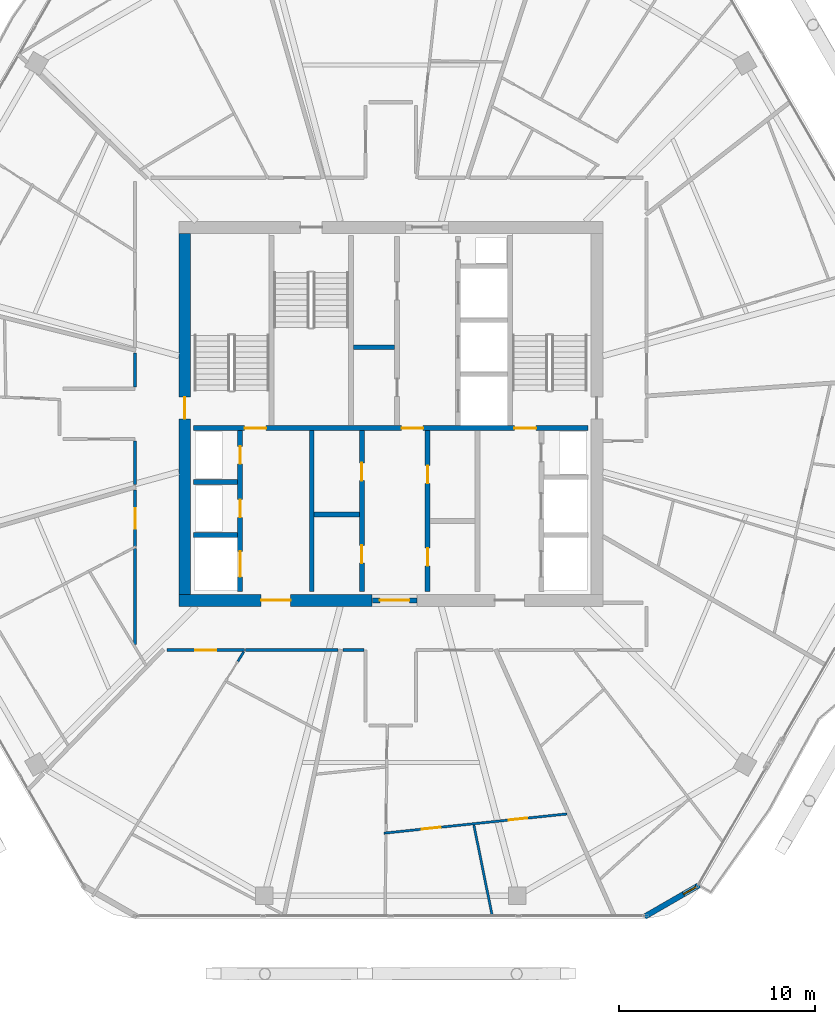
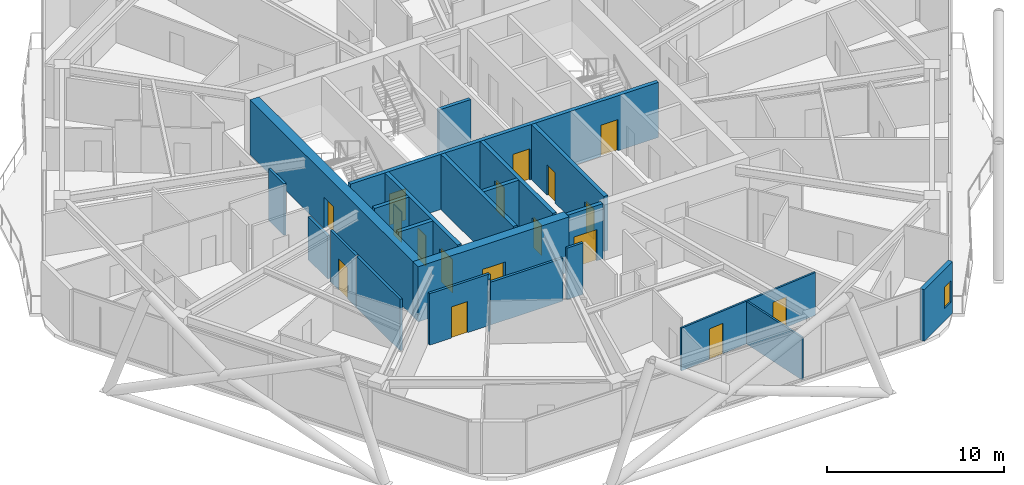
# One storey, part 21 of 29: 23 walls, 17 doors, 1 window, 18 openings.
"""IFC4 building model written with IfcOpenShell, lengths in metres."""

from ifc_helpers import new_model, si_unit, direction, frame, frame_2d, origin, place, context, subcontext, project, spatial, rectangle, extrude, material, layer, layer_set, type_object, element, fill, save


model = new_model("IFC4")

# Units and contexts
model_context = context("Model", 3, precision=1e-05, world=origin(), true_north=direction((0.0, 1.0)))
body_context = subcontext(model_context, "Body", "Model", "MODEL_VIEW")
ifc_project = project(units=[si_unit("LENGTHUNIT", "METRE"), si_unit("AREAUNIT", "SQUARE_METRE"), si_unit("VOLUMEUNIT", "CUBIC_METRE"), si_unit("PLANEANGLEUNIT", "RADIAN"), si_unit("MASSUNIT", "GRAM", prefix="KILO")], contexts=[model_context])

# Site, building, storey
site_placement = place(None, origin())
site = spatial("IfcSite", under=ifc_project, at=site_placement, CompositionType="ELEMENT")
building_placement = place(site_placement, origin())
building = spatial("IfcBuilding", under=site, at=building_placement, Name="Zuhravey Tower", CompositionType="ELEMENT")
storey_placement = place(building_placement, frame((0.0, 0.0, 246.39990234375)))
storey = spatial("IfcBuildingStorey", under=building, at=storey_placement, Name="L62", CompositionType="ELEMENT", Elevation=246.39990234375)

# Wall, opening, door
ifc_material_1 = material(Name="Concrete C50/60", Category="concrete")
ifc_layer_1 = layer(ifc_material_1, 0.60009765625)
ifc_layer_set_1 = layer_set([ifc_layer_1], Name="Concrete C50/60")
wall_type_1 = type_object("IfcWallType", Name="Core Shear Wall 600", PredefinedType="SHEAR", material=ifc_layer_set_1)
wall_1_placement = place(storey_placement, frame((25.199951171875, 22.5, 0.0), z_axis=(0.0, 0.0, 1.0), x_axis=(1.0, 0.0, 0.0)))
wall_1 = element("IfcWall", 1, at=wall_1_placement, inside=storey, type_object=wall_type_1, Name="L62 South-West Core Shear Wall CW60", PredefinedType="SHEAR", context=body_context, shape_type="SweptSolid", body=[
    extrude(rectangle(XDim=9.85009765625, YDim=0.60009765625, at=frame_2d((4.925048828125, 0.0))), origin(), (0.0, 0.0, 1.0), 3.800048828125),
])
opening_1_placement = place(wall_1_placement, frame((4.199951171875, 0.0, 0.0)))
opening_1 = element("IfcOpeningElement", 2, at=opening_1_placement, cuts=wall_1, Name="Opening FFD1", PredefinedType="OPENING", context=body_context, shape_type="SweptSolid", body=[
    extrude(rectangle(XDim=1.5, YDim=2.14990234375, at=frame_2d((0.75, 1.074951171875))), frame((0.0, 0.31201171875, 0.0), z_axis=(0.0, -1.0, 0.0), x_axis=(1.0, 0.0, 0.0)), (0.0, 0.0, 1.0), 0.6240234375),
])
ifc_material_2 = material(Name="Galvanised fire-rated steel leaf", Category="steel")
door_type_1 = type_object("IfcDoorType", Name="Firefighting Lobby Double Door 1500x2150", OperationType="DOUBLE_DOOR_SINGLE_SWING", PredefinedType="DOOR", material=ifc_material_2)
door_1_placement = place(opening_1_placement, origin())
door_1 = element("IfcDoor", 3, at=door_1_placement, inside=storey, type_object=door_type_1, Name="L62 Firefighting Lobby West Door", OperationType="DOUBLE_DOOR_SINGLE_SWING", OverallHeight=2.14990234375, OverallWidth=1.5, PredefinedType="DOOR", context=body_context, shape_type="SweptSolid", body=[
    extrude(rectangle(XDim=1.5, YDim=2.14990234375, at=frame_2d((0.75, 1.074951171875))), frame((0.0, 0.02490234375, 0.0), z_axis=(0.0, -1.0, 0.0), x_axis=(1.0, 0.0, 0.0)), (0.0, 0.0, 1.0), 0.050048828125),
])
fill(opening_1, door_1)

wall_2_placement = place(storey_placement, frame((25.5, 22.800048828125, 0.0), z_axis=(0.0, 0.0, 1.0), x_axis=(0.0, 1.0, 0.0)))
wall_2 = element("IfcWall", 4, at=wall_2_placement, inside=storey, type_object=wall_type_1, Name="L62 West Core Shear Wall CW60", PredefinedType="SHEAR", context=body_context, shape_type="SweptSolid", body=[
    extrude(rectangle(XDim=18.39990234375, YDim=0.60009765625, at=frame_2d((9.199951171875, 0.0))), origin(), (0.0, 0.0, 1.0), 3.800048828125),
])
opening_2_placement = place(wall_2_placement, frame((8.949951171875, 0.0, 0.0)))
opening_2 = element("IfcOpeningElement", 5, at=opening_2_placement, cuts=wall_2, Name="Opening STD1", PredefinedType="OPENING", context=body_context, shape_type="SweptSolid", body=[
    extrude(rectangle(XDim=1.10009765625, YDim=2.14990234375, at=frame_2d((0.550048828125, 1.074951171875))), frame((0.0, 0.31201171875, 0.0), z_axis=(0.0, -1.0, 0.0), x_axis=(1.0, 0.0, 0.0)), (0.0, 0.0, 1.0), 0.6240234375),
])
door_type_2 = type_object("IfcDoorType", Name="Protected Stair Fire Door 1100x2150", OperationType="NOTDEFINED", PredefinedType="USERDEFINED", material=ifc_material_2)
door_2_placement = place(opening_2_placement, frame((1.10009765625, 0.0, 0.0), z_axis=(0.0, 0.0, 1.0), x_axis=(-1.0, 0.0, 0.0)))
door_2 = element("IfcDoor", 6, at=door_2_placement, inside=storey, type_object=door_type_2, Name="L62 Stair ST1 Door", ObjectType="EXITDOOR", OperationType="SINGLE_SWING_LEFT", OverallHeight=2.14990234375, OverallWidth=1.10009765625, PredefinedType="USERDEFINED", context=body_context, shape_type="SweptSolid", body=[
    extrude(rectangle(XDim=1.10009765625, YDim=2.14990234375, at=frame_2d((0.550048828125, 1.074951171875))), frame((0.0, 0.02490234375, 0.0), z_axis=(0.0, -1.0, 0.0), x_axis=(1.0, 0.0, 0.0)), (0.0, 0.0, 1.0), 0.050048828125),
])
fill(opening_2, door_2)

ifc_material_3 = material(Name="Gypsum fire-rated stud partition")
ifc_layer_2 = layer(ifc_material_3, 0.159912109375)
ifc_layer_set_2 = layer_set([ifc_layer_2], Name="Gypsum fire-rated stud partition")
wall_type_2 = type_object("IfcWallType", Name="Corridor Fire Partition 160", PredefinedType="PARTITIONING", material=ifc_layer_set_2)
wall_3_placement = place(storey_placement, frame((22.969970703125, 28.119384765625, 0.0), z_axis=(0.0, 0.0, 1.0), x_axis=(0.0, -1.0, 0.0)))
wall_3 = element("IfcWall", 7, at=wall_3_placement, inside=storey, type_object=wall_type_2, Name="L62 IW16 Partition 038", PredefinedType="PARTITIONING", context=body_context, shape_type="SweptSolid", body=[
    extrude(rectangle(XDim=2.885498046875, YDim=0.159912109375, at=frame_2d((1.44287109375, 0.0))), origin(), (0.0, 0.0, 1.0), 3.550048828125),
])
opening_3_placement = place(wall_3_placement, frame((0.917724609375, 0.0, 0.0)))
opening_3 = element("IfcOpeningElement", 8, at=opening_3_placement, cuts=wall_3, Name="Opening APD1", PredefinedType="OPENING", context=body_context, shape_type="SweptSolid", body=[
    extrude(rectangle(XDim=1.050048828125, YDim=2.14990234375, at=frame_2d((0.52490234375, 1.074951171875))), frame((0.0, 0.092041015625, 0.0), z_axis=(0.0, -1.0, 0.0), x_axis=(1.0, 0.0, 0.0)), (0.0, 0.0, 1.0), 0.183837890625),
])
ifc_material_4 = material(Name="Solid-core oak fire-rated leaf")
door_type_3 = type_object("IfcDoorType", Name="Apartment Entrance Fire Door 1050x2150", OperationType="NOTDEFINED", PredefinedType="DOOR", material=ifc_material_4)
door_3_placement = place(opening_3_placement, frame((1.050048828125, 0.0, 0.0), z_axis=(0.0, 0.0, 1.0), x_axis=(-1.0, 0.0, 0.0)))
door_3 = element("IfcDoor", 9, at=door_3_placement, inside=storey, type_object=door_type_3, Name="L62 Door 038.1", OperationType="SINGLE_SWING_LEFT", OverallHeight=2.14990234375, OverallWidth=1.050048828125, PredefinedType="DOOR", context=body_context, shape_type="SweptSolid", body=[
    extrude(rectangle(XDim=1.050048828125, YDim=2.14990234375, at=frame_2d((0.52490234375, 1.074951171875))), frame((0.0, 0.02490234375, 0.0), z_axis=(0.0, -1.0, 0.0), x_axis=(1.0, 0.0, 0.0)), (0.0, 0.0, 1.0), 0.050048828125),
])
fill(opening_3, door_3)

wall_4_placement = place(storey_placement, frame((24.611572265625, 19.969970703125, 0.0), z_axis=(0.0, 0.0, 1.0), x_axis=(1.0, 0.0, 0.0)))
wall_4 = element("IfcWall", 10, at=wall_4_placement, inside=storey, type_object=wall_type_2, Name="L62 IW16 Partition 042", PredefinedType="PARTITIONING", context=body_context, shape_type="SweptSolid", body=[
    extrude(rectangle(XDim=3.92919921875, YDim=0.159912109375, at=frame_2d((1.964599609375, 0.0))), origin(), (0.0, 0.0, 1.0), 3.550048828125),
])
opening_4_placement = place(wall_4_placement, frame((1.439697265625, 0.0, 0.0)))
opening_4 = element("IfcOpeningElement", 11, at=opening_4_placement, cuts=wall_4, Name="Opening APD1", PredefinedType="OPENING", context=body_context, shape_type="SweptSolid", body=[
    extrude(rectangle(XDim=1.050048828125, YDim=2.14990234375, at=frame_2d((0.52490234375, 1.074951171875))), frame((0.0, 0.092041015625, 0.0), z_axis=(0.0, -1.0, 0.0), x_axis=(1.0, 0.0, 0.0)), (0.0, 0.0, 1.0), 0.183837890625),
])
door_4_placement = place(opening_4_placement, frame((1.050048828125, 0.0, 0.0), z_axis=(0.0, 0.0, 1.0), x_axis=(-1.0, 0.0, 0.0)))
door_4 = element("IfcDoor", 12, at=door_4_placement, inside=storey, type_object=door_type_3, Name="L62 Door 042.1", OperationType="SINGLE_SWING_LEFT", OverallHeight=2.14990234375, OverallWidth=1.050048828125, PredefinedType="DOOR", context=body_context, shape_type="SweptSolid", body=[
    extrude(rectangle(XDim=1.050048828125, YDim=2.14990234375, at=frame_2d((0.52490234375, 1.074951171875))), frame((0.0, 0.02490234375, 0.0), z_axis=(0.0, -1.0, 0.0), x_axis=(1.0, 0.0, 0.0)), (0.0, 0.0, 1.0), 0.050048828125),
])
fill(opening_4, door_4)

# Walls
wall_5_placement = place(storey_placement, frame((22.969970703125, 30.632080078125, 0.0), z_axis=(0.0, 0.0, 1.0), x_axis=(0.0, -1.0, 0.0)))
element("IfcWall", 13, at=wall_5_placement, inside=storey, type_object=wall_type_2, Name="L62 IW16 Partition 124", PredefinedType="PARTITIONING", context=body_context, shape_type="SweptSolid", body=[
    extrude(rectangle(XDim=2.224853515625, YDim=0.159912109375, at=frame_2d((1.1123046875, 0.0))), origin(), (0.0, 0.0, 1.0), 2.9501953125),
])
wall_6_placement = place(storey_placement, frame((22.969970703125, 35.107666015625, 0.0), z_axis=(0.0, 0.0, 1.0), x_axis=(0.0, -1.0, 0.0)))
element("IfcWall", 14, at=wall_6_placement, inside=storey, type_object=wall_type_2, Name="L62 IW16 Partition 127", PredefinedType="PARTITIONING", context=body_context, shape_type="SweptSolid", body=[
    extrude(rectangle(XDim=1.73974609375, YDim=0.159912109375, at=frame_2d((0.869873046875, 0.0))), origin(), (0.0, 0.0, 1.0), 3.550048828125),
])
wall_7_placement = place(storey_placement, frame((22.969970703125, 25.134521484375, 0.0), z_axis=(0.0, 0.0, 1.0), x_axis=(0.0, -1.0, 0.0)))
element("IfcWall", 15, at=wall_7_placement, inside=storey, type_object=wall_type_2, Name="L62 IW16 Partition 128", PredefinedType="PARTITIONING", context=body_context, shape_type="SweptSolid", body=[
    extrude(rectangle(XDim=4.8828125, YDim=0.159912109375, at=frame_2d((2.44140625, 0.0))), origin(), (0.0, 0.0, 1.0), 3.550048828125),
])
wall_8_placement = place(storey_placement, frame((28.587890625, 19.969970703125, 0.0), z_axis=(0.0, 0.0, 1.0), x_axis=(1.0, 0.0, 0.0)))
element("IfcWall", 16, at=wall_8_placement, inside=storey, type_object=wall_type_2, Name="L62 IW16 Partition 129", PredefinedType="PARTITIONING", context=body_context, shape_type="SweptSolid", body=[
    extrude(rectangle(XDim=4.724609375, YDim=0.159912109375, at=frame_2d((2.3623046875, 0.0))), origin(), (0.0, 0.0, 1.0), 2.9501953125),
])
wall_9_placement = place(storey_placement, frame((33.572998046875, 19.969970703125, 0.0), z_axis=(0.0, 0.0, 1.0), x_axis=(1.0, 0.0, 0.0)))
element("IfcWall", 17, at=wall_9_placement, inside=storey, type_object=wall_type_2, Name="L62 IW16 Partition 133", PredefinedType="PARTITIONING", context=body_context, shape_type="SweptSolid", body=[
    extrude(rectangle(XDim=1.05908203125, YDim=0.159912109375, at=frame_2d((0.529541015625, 0.0))), origin(), (0.0, 0.0, 1.0), 3.550048828125),
])

# Wall, opening, window
ifc_material_5 = material(Name="Precast concrete C40/50", Category="concrete")
ifc_layer_3 = layer(ifc_material_5, 0.280029296875)
ifc_layer_set_3 = layer_set([ifc_layer_3], Name="Precast concrete C40/50")
wall_type_3 = type_object("IfcWallType", Name="Crown Architectural Wall 280", PredefinedType="SOLIDWALL", material=ifc_layer_set_3)
wall_10_placement = place(storey_placement, frame((51.714599609375, 7.996337890625, 0.0), z_axis=(0.0, 0.0, 1.0), x_axis=(-0.866028773314, -0.499994163758, 0.0)))
wall_10 = element("IfcWall", 18, at=wall_10_placement, inside=storey, type_object=wall_type_3, Name="L62 Rounded Corner Closure Wall EW28-02", PredefinedType="SOLIDWALL", context=body_context, shape_type="SweptSolid", body=[
    extrude(rectangle(XDim=3.21484375, YDim=0.280029296875, at=frame_2d((1.607421875, 0.0))), origin(), (0.0, 0.0, 1.0), 3.550048828125),
])
opening_5_placement = place(wall_10_placement, frame((0.17578125, 0.0, 0.85009765625)))
opening_5 = element("IfcOpeningElement", 19, at=opening_5_placement, cuts=wall_10, Name="Opening WN5", PredefinedType="OPENING", context=body_context, shape_type="SweptSolid", body=[
    extrude(rectangle(XDim=0.75, YDim=1.5, at=frame_2d((0.375, 0.75))), frame((0.0, 0.152099609375, 0.0), z_axis=(0.0, -1.0, 0.0), x_axis=(1.0, 0.0, 0.0)), (0.0, 0.0, 1.0), 0.303955078125),
])
ifc_material_6 = material(Name="Thermally broken aluminium and triple low-E glass", Category="aluminium")
window_type = type_object("IfcWindowType", Name="Residential Corner Casement Window 750x1500", PartitioningType="SINGLE_PANEL", PredefinedType="WINDOW", material=ifc_material_6)
window_placement = place(opening_5_placement, origin())
window = element("IfcWindow", 20, at=window_placement, inside=storey, type_object=window_type, Name="L62 Corner Casement Window WN5-02.1", OverallHeight=1.5, OverallWidth=0.75, PartitioningType="SINGLE_PANEL", PredefinedType="WINDOW", context=body_context, shape_type="SweptSolid", body=[
    extrude(rectangle(XDim=0.75, YDim=1.5, at=frame_2d((0.375, 0.75))), frame((0.0, 0.030029296875, 0.0), z_axis=(0.0, -1.0, 0.0), x_axis=(1.0, 0.0, 0.0)), (0.0, 0.0, 1.0), 0.06005859375),
])
fill(opening_5, window)

# Wall, opening, door
ifc_layer_4 = layer(ifc_material_1, 0.25)
ifc_layer_set_4 = layer_set([ifc_layer_4], Name="Concrete C50/60")
wall_type_4 = type_object("IfcWallType", Name="Firefighting Shaft & Stair Wall 250", PredefinedType="SOLIDWALL", material=ifc_layer_set_4)
wall_11_placement = place(storey_placement, frame((35.06005859375, 22.5, 0.0), z_axis=(0.0, 0.0, 1.0), x_axis=(1.0, 0.0, 0.0)))
wall_11 = element("IfcWall", 21, at=wall_11_placement, inside=storey, type_object=wall_type_4, Name="L62 FW25 Shaft Wall 001", PredefinedType="SOLIDWALL", context=body_context, shape_type="SweptSolid", body=[
    extrude(rectangle(XDim=2.280029296875, YDim=0.25, at=frame_2d((1.14013671875, 0.0))), origin(), (0.0, 0.0, 1.0), 3.800048828125),
])
opening_6_placement = place(wall_11_placement, frame((0.389892578125, 0.0, 0.0)))
opening_6 = element("IfcOpeningElement", 22, at=opening_6_placement, cuts=wall_11, Name="Opening FFD1", PredefinedType="OPENING", context=body_context, shape_type="SweptSolid", body=[
    extrude(rectangle(XDim=1.5, YDim=2.14990234375, at=frame_2d((0.75, 1.074951171875))), frame((0.0, 0.136962890625, 0.0), z_axis=(0.0, -1.0, 0.0), x_axis=(1.0, 0.0, 0.0)), (0.0, 0.0, 1.0), 0.27392578125),
])
door_5_placement = place(opening_6_placement, frame((1.5, 0.0, 0.0), z_axis=(0.0, 0.0, 1.0), x_axis=(-1.0, 0.0, 0.0)))
door_5 = element("IfcDoor", 23, at=door_5_placement, inside=storey, type_object=door_type_1, Name="L62 South Lift Lobby Exit Door", OperationType="DOUBLE_DOOR_SINGLE_SWING", OverallHeight=2.14990234375, OverallWidth=1.5, PredefinedType="DOOR", context=body_context, shape_type="SweptSolid", body=[
    extrude(rectangle(XDim=1.5, YDim=2.14990234375, at=frame_2d((0.75, 1.074951171875))), frame((0.0, 0.02490234375, 0.0), z_axis=(0.0, -1.0, 0.0), x_axis=(1.0, 0.0, 0.0)), (0.0, 0.0, 1.0), 0.050048828125),
])
fill(opening_6, door_5)

# Wall, openings, doors
wall_12_placement = place(storey_placement, frame((25.949951171875, 31.27490234375, 0.0), z_axis=(0.0, 0.0, 1.0), x_axis=(1.0, 0.0, 0.0)))
wall_12 = element("IfcWall", 24, at=wall_12_placement, inside=storey, type_object=wall_type_4, Name="L62 FW25 Shaft Wall 003", PredefinedType="SOLIDWALL", context=body_context, shape_type="SweptSolid", body=[
    extrude(rectangle(XDim=20.10009765625, YDim=0.25, at=frame_2d((10.050048828125, 0.0))), origin(), (0.0, 0.0, 1.0), 3.800048828125),
])
opening_7_placement = place(wall_12_placement, frame((2.60009765625, 0.0, 0.0)))
opening_7 = element("IfcOpeningElement", 25, at=opening_7_placement, cuts=wall_12, Name="Opening STD1", PredefinedType="OPENING", context=body_context, shape_type="SweptSolid", body=[
    extrude(rectangle(XDim=1.10009765625, YDim=2.14990234375, at=frame_2d((0.550048828125, 1.074951171875))), frame((0.0, 0.136962890625, 0.0), z_axis=(0.0, -1.0, 0.0), x_axis=(1.0, 0.0, 0.0)), (0.0, 0.0, 1.0), 0.27392578125),
])
opening_8_placement = place(wall_12_placement, frame((10.60009765625, 0.0, 0.0)))
opening_8 = element("IfcOpeningElement", 26, at=opening_8_placement, cuts=wall_12, Name="Opening STD1", PredefinedType="OPENING", context=body_context, shape_type="SweptSolid", body=[
    extrude(rectangle(XDim=1.10009765625, YDim=2.14990234375, at=frame_2d((0.550048828125, 1.074951171875))), frame((0.0, 0.136962890625, 0.0), z_axis=(0.0, -1.0, 0.0), x_axis=(1.0, 0.0, 0.0)), (0.0, 0.0, 1.0), 0.27392578125),
])
opening_9_placement = place(wall_12_placement, frame((16.35009765625, 0.0, 0.0)))
opening_9 = element("IfcOpeningElement", 27, at=opening_9_placement, cuts=wall_12, Name="Opening STD1", PredefinedType="OPENING", context=body_context, shape_type="SweptSolid", body=[
    extrude(rectangle(XDim=1.10009765625, YDim=2.14990234375, at=frame_2d((0.550048828125, 1.074951171875))), frame((0.0, 0.136962890625, 0.0), z_axis=(0.0, -1.0, 0.0), x_axis=(1.0, 0.0, 0.0)), (0.0, 0.0, 1.0), 0.27392578125),
])
door_6_placement = place(opening_7_placement, origin())
door_6 = element("IfcDoor", 28, at=door_6_placement, inside=storey, type_object=door_type_2, Name="L62 FFL-W to ST1 Door", ObjectType="EXITDOOR", OperationType="SINGLE_SWING_RIGHT", OverallHeight=2.14990234375, OverallWidth=1.10009765625, PredefinedType="USERDEFINED", context=body_context, shape_type="SweptSolid", body=[
    extrude(rectangle(XDim=1.10009765625, YDim=2.14990234375, at=frame_2d((0.550048828125, 1.074951171875))), frame((0.0, 0.02490234375, 0.0), z_axis=(0.0, -1.0, 0.0), x_axis=(1.0, 0.0, 0.0)), (0.0, 0.0, 1.0), 0.050048828125),
])
fill(opening_7, door_6)
door_7_placement = place(opening_8_placement, origin())
door_7 = element("IfcDoor", 29, at=door_7_placement, inside=storey, type_object=door_type_2, Name="L62 Core Lobby Link Door", ObjectType="EXITDOOR", OperationType="SINGLE_SWING_LEFT", OverallHeight=2.14990234375, OverallWidth=1.10009765625, PredefinedType="USERDEFINED", context=body_context, shape_type="SweptSolid", body=[
    extrude(rectangle(XDim=1.10009765625, YDim=2.14990234375, at=frame_2d((0.550048828125, 1.074951171875))), frame((0.0, 0.02490234375, 0.0), z_axis=(0.0, -1.0, 0.0), x_axis=(1.0, 0.0, 0.0)), (0.0, 0.0, 1.0), 0.050048828125),
])
fill(opening_8, door_7)
door_8_placement = place(opening_9_placement, origin())
door_8 = element("IfcDoor", 30, at=door_8_placement, inside=storey, type_object=door_type_2, Name="L62 FFL-E to ST2 Door", ObjectType="EXITDOOR", OperationType="SINGLE_SWING_RIGHT", OverallHeight=2.14990234375, OverallWidth=1.10009765625, PredefinedType="USERDEFINED", context=body_context, shape_type="SweptSolid", body=[
    extrude(rectangle(XDim=1.10009765625, YDim=2.14990234375, at=frame_2d((0.550048828125, 1.074951171875))), frame((0.0, 0.02490234375, 0.0), z_axis=(0.0, -1.0, 0.0), x_axis=(1.0, 0.0, 0.0)), (0.0, 0.0, 1.0), 0.050048828125),
])
fill(opening_9, door_8)

# Walls
for number, where, z_axis, x_axis, name in (
    (31, (25.949951171875, 25.824951171875, 0.0), (0.0, 0.0, 1.0), (1.0, 0.0, 0.0), "L62 FW25 Shaft Wall 009"),
    (32, (25.949951171875, 28.52490234375, 0.0), (0.0, 0.0, 1.0), (1.0, 0.0, 0.0), "L62 FW25 Shaft Wall 010"),
):
    element("IfcWall", number, at=place(storey_placement, frame(where, z_axis=z_axis, x_axis=x_axis)), inside=storey, type_object=wall_type_4, Name=name, PredefinedType="SOLIDWALL", context=body_context, shape_type="SweptSolid", body=[
        extrude(rectangle(XDim=2.25, YDim=0.25, at=frame_2d((1.125, 0.0))), origin(), (0.0, 0.0, 1.0), 3.800048828125),
    ])

# Wall, openings, doors
wall_13_placement = place(storey_placement, frame((28.324951171875, 22.949951171875, 0.0), z_axis=(0.0, 0.0, 1.0), x_axis=(0.0, 1.0, 0.0)))
wall_13 = element("IfcWall", 33, at=wall_13_placement, inside=storey, type_object=wall_type_4, Name="L62 FW25 Shaft Wall 011", PredefinedType="SOLIDWALL", context=body_context, shape_type="SweptSolid", body=[
    extrude(rectangle(XDim=8.199951171875, YDim=0.25, at=frame_2d((4.10009765625, 0.0))), origin(), (0.0, 0.0, 1.0), 3.800048828125),
])
opening_10_placement = place(wall_13_placement, frame((0.75, 0.0, 0.0)))
opening_10 = element("IfcOpeningElement", 34, at=opening_10_placement, cuts=wall_13, Name="Opening LD2", PredefinedType="OPENING", context=body_context, shape_type="SweptSolid", body=[
    extrude(rectangle(XDim=1.300048828125, YDim=2.300048828125, at=frame_2d((0.64990234375, 1.14990234375))), frame((0.0, 0.136962890625, 0.0), z_axis=(0.0, -1.0, 0.0), x_axis=(1.0, 0.0, 0.0)), (0.0, 0.0, 1.0), 0.27392578125),
])
opening_11_placement = place(wall_13_placement, frame((3.780029296875, 0.0, 0.0)))
opening_11 = element("IfcOpeningElement", 35, at=opening_11_placement, cuts=wall_13, Name="Opening RSD1", PredefinedType="OPENING", context=body_context, shape_type="SweptSolid", body=[
    extrude(rectangle(XDim=0.89990234375, YDim=2.10009765625, at=frame_2d((0.449951171875, 1.050048828125))), frame((0.0, 0.136962890625, 0.0), z_axis=(0.0, -1.0, 0.0), x_axis=(1.0, 0.0, 0.0)), (0.0, 0.0, 1.0), 0.27392578125),
])
opening_12_placement = place(wall_13_placement, frame((6.5, 0.0, 0.0)))
opening_12 = element("IfcOpeningElement", 36, at=opening_12_placement, cuts=wall_13, Name="Opening RSD1", PredefinedType="OPENING", context=body_context, shape_type="SweptSolid", body=[
    extrude(rectangle(XDim=0.89990234375, YDim=2.10009765625, at=frame_2d((0.449951171875, 1.050048828125))), frame((0.0, 0.136962890625, 0.0), z_axis=(0.0, -1.0, 0.0), x_axis=(1.0, 0.0, 0.0)), (0.0, 0.0, 1.0), 0.27392578125),
])
ifc_material_7 = material(Name="Brushed stainless steel", Category="steel")
door_type_4 = type_object("IfcDoorType", Name="Freight & Stretcher Lift Sliding Door 1300x2300", OperationType="DOUBLE_DOOR_SLIDING", PredefinedType="DOOR", material=ifc_material_7)
door_9_placement = place(opening_10_placement, frame((1.300048828125, 0.0, 0.0), z_axis=(0.0, 0.0, 1.0), x_axis=(-1.0, 0.0, 0.0)))
door_9 = element("IfcDoor", 37, at=door_9_placement, inside=storey, type_object=door_type_4, Name="L62 Lift FF1 Landing Door", OperationType="DOUBLE_DOOR_SLIDING", OverallHeight=2.300048828125, OverallWidth=1.300048828125, PredefinedType="DOOR", context=body_context, shape_type="SweptSolid", body=[
    extrude(rectangle(XDim=1.300048828125, YDim=2.300048828125, at=frame_2d((0.64990234375, 1.14990234375))), frame((0.0, 0.02490234375, 0.0), z_axis=(0.0, -1.0, 0.0), x_axis=(1.0, 0.0, 0.0)), (0.0, 0.0, 1.0), 0.050048828125),
])
fill(opening_10, door_9)
ifc_material_8 = material(Name="Galvanised fire-rated steel access leaf", Category="steel")
door_type_5 = type_object("IfcDoorType", Name="Riser & Shaft Access Fire Door 900x2100", OperationType="NOTDEFINED", PredefinedType="DOOR", material=ifc_material_8)
door_10_placement = place(opening_11_placement, frame((0.89990234375, 0.0, 0.0), z_axis=(0.0, 0.0, 1.0), x_axis=(-1.0, 0.0, 0.0)))
door_10 = element("IfcDoor", 38, at=door_10_placement, inside=storey, type_object=door_type_5, Name="L62 Electrical Riser Door", OperationType="SINGLE_SWING_RIGHT", OverallHeight=2.10009765625, OverallWidth=0.89990234375, PredefinedType="DOOR", context=body_context, shape_type="SweptSolid", body=[
    extrude(rectangle(XDim=0.89990234375, YDim=2.10009765625, at=frame_2d((0.449951171875, 1.050048828125))), frame((0.0, 0.02490234375, 0.0), z_axis=(0.0, -1.0, 0.0), x_axis=(1.0, 0.0, 0.0)), (0.0, 0.0, 1.0), 0.050048828125),
])
fill(opening_11, door_10)
door_11_placement = place(opening_12_placement, frame((0.89990234375, 0.0, 0.0), z_axis=(0.0, 0.0, 1.0), x_axis=(-1.0, 0.0, 0.0)))
door_11 = element("IfcDoor", 39, at=door_11_placement, inside=storey, type_object=door_type_5, Name="L62 Smoke Shaft Access Door", OperationType="SINGLE_SWING_LEFT", OverallHeight=2.10009765625, OverallWidth=0.89990234375, PredefinedType="DOOR", context=body_context, shape_type="SweptSolid", body=[
    extrude(rectangle(XDim=0.89990234375, YDim=2.10009765625, at=frame_2d((0.449951171875, 1.050048828125))), frame((0.0, 0.02490234375, 0.0), z_axis=(0.0, -1.0, 0.0), x_axis=(1.0, 0.0, 0.0)), (0.0, 0.0, 1.0), 0.050048828125),
])
fill(opening_12, door_11)

# Walls
wall_14_placement = place(storey_placement, frame((31.97509765625, 22.949951171875, 0.0), z_axis=(0.0, 0.0, 1.0), x_axis=(0.0, 1.0, 0.0)))
element("IfcWall", 40, at=wall_14_placement, inside=storey, type_object=wall_type_4, Name="L62 FW25 Shaft Wall 012", PredefinedType="SOLIDWALL", context=body_context, shape_type="SweptSolid", body=[
    extrude(rectangle(XDim=8.199951171875, YDim=0.25, at=frame_2d((4.10009765625, 0.0))), origin(), (0.0, 0.0, 1.0), 3.800048828125),
])
wall_15_placement = place(storey_placement, frame((32.10009765625, 26.875, 0.0), z_axis=(0.0, 0.0, 1.0), x_axis=(1.0, 0.0, 0.0)))
element("IfcWall", 41, at=wall_15_placement, inside=storey, type_object=wall_type_4, Name="L62 FW25 Shaft Wall 013", PredefinedType="SOLIDWALL", context=body_context, shape_type="SweptSolid", body=[
    extrude(rectangle(XDim=2.2998046875, YDim=0.25, at=frame_2d((1.14990234375, 0.0))), origin(), (0.0, 0.0, 1.0), 3.800048828125),
])

# Wall, openings, doors
wall_16_placement = place(storey_placement, frame((34.52490234375, 22.949951171875, 0.0), z_axis=(0.0, 0.0, 1.0), x_axis=(0.0, 1.0, 0.0)))
wall_16 = element("IfcWall", 42, at=wall_16_placement, inside=storey, type_object=wall_type_4, Name="L62 FW25 Shaft Wall 014", PredefinedType="SOLIDWALL", context=body_context, shape_type="SweptSolid", body=[
    extrude(rectangle(XDim=8.199951171875, YDim=0.25, at=frame_2d((4.10009765625, 0.0))), origin(), (0.0, 0.0, 1.0), 3.800048828125),
])
opening_13_placement = place(wall_16_placement, frame((1.449951171875, 0.0, 0.0)))
opening_13 = element("IfcOpeningElement", 43, at=opening_13_placement, cuts=wall_16, Name="Opening RSD1", PredefinedType="OPENING", context=body_context, shape_type="SweptSolid", body=[
    extrude(rectangle(XDim=0.89990234375, YDim=2.10009765625, at=frame_2d((0.449951171875, 1.050048828125))), frame((0.0, 0.136962890625, 0.0), z_axis=(0.0, -1.0, 0.0), x_axis=(1.0, 0.0, 0.0)), (0.0, 0.0, 1.0), 0.27392578125),
])
opening_14_placement = place(wall_16_placement, frame((5.64990234375, 0.0, 0.0)))
opening_14 = element("IfcOpeningElement", 44, at=opening_14_placement, cuts=wall_16, Name="Opening RSD1", PredefinedType="OPENING", context=body_context, shape_type="SweptSolid", body=[
    extrude(rectangle(XDim=0.89990234375, YDim=2.10009765625, at=frame_2d((0.449951171875, 1.050048828125))), frame((0.0, 0.136962890625, 0.0), z_axis=(0.0, -1.0, 0.0), x_axis=(1.0, 0.0, 0.0)), (0.0, 0.0, 1.0), 0.27392578125),
])
door_12_placement = place(opening_13_placement, origin())
door_12 = element("IfcDoor", 45, at=door_12_placement, inside=storey, type_object=door_type_5, Name="L62 Housekeeping and Linen Room Door", OperationType="SINGLE_SWING_RIGHT", OverallHeight=2.10009765625, OverallWidth=0.89990234375, PredefinedType="DOOR", context=body_context, shape_type="SweptSolid", body=[
    extrude(rectangle(XDim=0.89990234375, YDim=2.10009765625, at=frame_2d((0.449951171875, 1.050048828125))), frame((0.0, 0.02490234375, 0.0), z_axis=(0.0, -1.0, 0.0), x_axis=(1.0, 0.0, 0.0)), (0.0, 0.0, 1.0), 0.050048828125),
])
fill(opening_13, door_12)
door_13_placement = place(opening_14_placement, origin())
door_13 = element("IfcDoor", 46, at=door_13_placement, inside=storey, type_object=door_type_5, Name="L62 Telecoms Switch Closet Door", OperationType="SINGLE_SWING_LEFT", OverallHeight=2.10009765625, OverallWidth=0.89990234375, PredefinedType="DOOR", context=body_context, shape_type="SweptSolid", body=[
    extrude(rectangle(XDim=0.89990234375, YDim=2.10009765625, at=frame_2d((0.449951171875, 1.050048828125))), frame((0.0, 0.02490234375, 0.0), z_axis=(0.0, -1.0, 0.0), x_axis=(1.0, 0.0, 0.0)), (0.0, 0.0, 1.0), 0.050048828125),
])
fill(opening_14, door_13)

wall_17_placement = place(storey_placement, frame((37.875, 22.949951171875, 0.0), z_axis=(0.0, 0.0, 1.0), x_axis=(0.0, 1.0, 0.0)))
wall_17 = element("IfcWall", 47, at=wall_17_placement, inside=storey, type_object=wall_type_4, Name="L62 FW25 Shaft Wall 016", PredefinedType="SOLIDWALL", context=body_context, shape_type="SweptSolid", body=[
    extrude(rectangle(XDim=8.199951171875, YDim=0.25, at=frame_2d((4.10009765625, 0.0))), origin(), (0.0, 0.0, 1.0), 3.800048828125),
])
opening_15_placement = place(wall_17_placement, frame((1.3125, 0.0, 0.0)))
opening_15 = element("IfcOpeningElement", 48, at=opening_15_placement, cuts=wall_17, Name="Opening RSD1", PredefinedType="OPENING", context=body_context, shape_type="SweptSolid", body=[
    extrude(rectangle(XDim=0.89990234375, YDim=2.10009765625, at=frame_2d((0.449951171875, 1.050048828125))), frame((0.0, 0.136962890625, 0.0), z_axis=(0.0, -1.0, 0.0), x_axis=(1.0, 0.0, 0.0)), (0.0, 0.0, 1.0), 0.27392578125),
])
opening_16_placement = place(wall_17_placement, frame((5.512451171875, 0.0, 0.0)))
opening_16 = element("IfcOpeningElement", 49, at=opening_16_placement, cuts=wall_17, Name="Opening RSD1", PredefinedType="OPENING", context=body_context, shape_type="SweptSolid", body=[
    extrude(rectangle(XDim=0.89990234375, YDim=2.10009765625, at=frame_2d((0.449951171875, 1.050048828125))), frame((0.0, 0.136962890625, 0.0), z_axis=(0.0, -1.0, 0.0), x_axis=(1.0, 0.0, 0.0)), (0.0, 0.0, 1.0), 0.27392578125),
])
door_14_placement = place(opening_15_placement, frame((0.89990234375, 0.0, 0.0), z_axis=(0.0, 0.0, 1.0), x_axis=(-1.0, 0.0, 0.0)))
door_14 = element("IfcDoor", 50, at=door_14_placement, inside=storey, type_object=door_type_5, Name="L62 Trunk Store Door", OperationType="SINGLE_SWING_RIGHT", OverallHeight=2.10009765625, OverallWidth=0.89990234375, PredefinedType="DOOR", context=body_context, shape_type="SweptSolid", body=[
    extrude(rectangle(XDim=0.89990234375, YDim=2.10009765625, at=frame_2d((0.449951171875, 1.050048828125))), frame((0.0, 0.02490234375, 0.0), z_axis=(0.0, -1.0, 0.0), x_axis=(1.0, 0.0, 0.0)), (0.0, 0.0, 1.0), 0.050048828125),
])
fill(opening_15, door_14)
door_15_placement = place(opening_16_placement, frame((0.89990234375, 0.0, 0.0), z_axis=(0.0, 0.0, 1.0), x_axis=(-1.0, 0.0, 0.0)))
door_15 = element("IfcDoor", 51, at=door_15_placement, inside=storey, type_object=door_type_5, Name="L62 Fiber Room Door", OperationType="SINGLE_SWING_LEFT", OverallHeight=2.10009765625, OverallWidth=0.89990234375, PredefinedType="DOOR", context=body_context, shape_type="SweptSolid", body=[
    extrude(rectangle(XDim=0.89990234375, YDim=2.10009765625, at=frame_2d((0.449951171875, 1.050048828125))), frame((0.0, 0.02490234375, 0.0), z_axis=(0.0, -1.0, 0.0), x_axis=(1.0, 0.0, 0.0)), (0.0, 0.0, 1.0), 0.050048828125),
])
fill(opening_16, door_15)

# Wall
ifc_material_9 = material(Name="Gypsum acoustic stud assembly")
ifc_layer_5 = layer(ifc_material_9, 0.219970703125)
ifc_layer_set_5 = layer_set([ifc_layer_5], Name="Gypsum acoustic stud assembly")
wall_type_5 = type_object("IfcWallType", Name="School Acoustic Compartment Wall 220", PredefinedType="PARTITIONING", material=ifc_layer_set_5)
wall_18_placement = place(storey_placement, frame((34.10791015625, 35.39990234375, 0.0), z_axis=(0.0, 0.0, 1.0), x_axis=(1.0, 0.0, 0.0)))
element("IfcWall", 52, at=wall_18_placement, inside=storey, type_object=wall_type_5, Name="L62 IW22 Partition 069", PredefinedType="PARTITIONING", context=body_context, shape_type="SweptSolid", body=[
    extrude(rectangle(XDim=2.083984375, YDim=0.219970703125, at=frame_2d((1.0419921875, 0.0))), origin(), (0.0, 0.0, 1.0), 3.550048828125),
])

# Wall, openings, doors
ifc_material_10 = material(Name="Gypsum metal-stud partition")
ifc_layer_6 = layer(ifc_material_10, 0.1201171875)
ifc_layer_set_6 = layer_set([ifc_layer_6], Name="Gypsum metal-stud partition")
wall_type_6 = type_object("IfcWallType", Name="Unit Internal Partition 120", PredefinedType="PARTITIONING", material=ifc_layer_set_6)
wall_19_placement = place(storey_placement, frame((35.65771484375, 10.64208984375, 0.0), z_axis=(0.0, 0.0, 1.0), x_axis=(0.994519444743, 0.104551776778, 0.0)))
wall_19 = element("IfcWall", 53, at=wall_19_placement, inside=storey, type_object=wall_type_6, Name="L62 IW12 Partition 043", PredefinedType="PARTITIONING", context=body_context, shape_type="SweptSolid", body=[
    extrude(rectangle(XDim=9.36376953125, YDim=0.1201171875, at=frame_2d((4.681884765625, 0.0))), origin(), (0.0, 0.0, 1.0), 2.9501953125),
])
opening_17_placement = place(wall_19_placement, frame((1.93896484375, 0.0, 0.0)))
opening_17 = element("IfcOpeningElement", 54, at=opening_17_placement, cuts=wall_19, Name="Opening IND1", PredefinedType="OPENING", context=body_context, shape_type="SweptSolid", body=[
    extrude(rectangle(XDim=0.949951171875, YDim=2.10009765625, at=frame_2d((0.47509765625, 1.050048828125))), frame((0.0, 0.072021484375, 0.0), z_axis=(0.0, -1.0, 0.0), x_axis=(1.0, 0.0, 0.0)), (0.0, 0.0, 1.0), 0.14404296875),
])
opening_18_placement = place(wall_19_placement, frame((6.380126953125, 0.0, 0.0)))
opening_18 = element("IfcOpeningElement", 55, at=opening_18_placement, cuts=wall_19, Name="Opening IND1", PredefinedType="OPENING", context=body_context, shape_type="SweptSolid", body=[
    extrude(rectangle(XDim=0.949951171875, YDim=2.10009765625, at=frame_2d((0.47509765625, 1.050048828125))), frame((0.0, 0.072021484375, 0.0), z_axis=(0.0, -1.0, 0.0), x_axis=(1.0, 0.0, 0.0)), (0.0, 0.0, 1.0), 0.14404296875),
])
ifc_material_11 = material(Name="Painted engineered timber leaf", Category="wood")
door_type_6 = type_object("IfcDoorType", Name="Internal Room & Bedroom Door 950x2100", OperationType="NOTDEFINED", PredefinedType="DOOR", material=ifc_material_11)
door_16_placement = place(opening_17_placement, frame((0.949951171875, 0.0, 0.0), z_axis=(0.0, 0.0, 1.0), x_axis=(-1.0, 0.0, 0.0)))
door_16 = element("IfcDoor", 56, at=door_16_placement, inside=storey, type_object=door_type_6, Name="Apartment L62-06 Family Study Door", OperationType="SINGLE_SWING_RIGHT", OverallHeight=2.10009765625, OverallWidth=0.949951171875, PredefinedType="DOOR", context=body_context, shape_type="SweptSolid", body=[
    extrude(rectangle(XDim=0.949951171875, YDim=2.10009765625, at=frame_2d((0.47509765625, 1.050048828125))), frame((0.0, 0.02490234375, 0.0), z_axis=(0.0, -1.0, 0.0), x_axis=(1.0, 0.0, 0.0)), (0.0, 0.0, 1.0), 0.050048828125),
])
fill(opening_17, door_16)
door_17_placement = place(opening_18_placement, frame((0.949951171875, 0.0, 0.0), z_axis=(0.0, 0.0, 1.0), x_axis=(-1.0, 0.0, 0.0)))
door_17 = element("IfcDoor", 57, at=door_17_placement, inside=storey, type_object=door_type_6, Name="Apartment L62-06 Dining Room Door", OperationType="SINGLE_SWING_LEFT", OverallHeight=2.10009765625, OverallWidth=0.949951171875, PredefinedType="DOOR", context=body_context, shape_type="SweptSolid", body=[
    extrude(rectangle(XDim=0.949951171875, YDim=2.10009765625, at=frame_2d((0.47509765625, 1.050048828125))), frame((0.0, 0.02490234375, 0.0), z_axis=(0.0, -1.0, 0.0), x_axis=(1.0, 0.0, 0.0)), (0.0, 0.0, 1.0), 0.050048828125),
])
fill(opening_18, door_17)

# Walls
wall_20_placement = place(storey_placement, frame((28.510009765625, 19.882080078125, 0.0), z_axis=(0.0, 0.0, 1.0), x_axis=(-0.525850424149, -0.850577057898, 0.0)))
element("IfcWall", 58, at=wall_20_placement, inside=storey, type_object=wall_type_6, Name="L62 IW12 Partition 092", PredefinedType="PARTITIONING", context=body_context, shape_type="SweptSolid", body=[
    extrude(rectangle(XDim=0.56689453125, YDim=0.1201171875, at=frame_2d((0.283447265625, 0.0))), origin(), (0.0, 0.0, 1.0), 3.550048828125),
])
wall_21_placement = place(storey_placement, frame((40.23291015625, 11.0546875, 0.0), z_axis=(0.0, 0.0, 1.0), x_axis=(0.198056275703, -0.980190650667, 0.0)))
element("IfcWall", 59, at=wall_21_placement, inside=storey, type_object=wall_type_6, Name="L62 IW12 Partition 097", PredefinedType="PARTITIONING", context=body_context, shape_type="SweptSolid", body=[
    extrude(rectangle(XDim=4.7421875, YDim=0.1201171875, at=frame_2d((2.37109375, 0.0))), origin(), (0.0, 0.0, 1.0), 2.93017578125),
])

save(model, "model.ifc")
